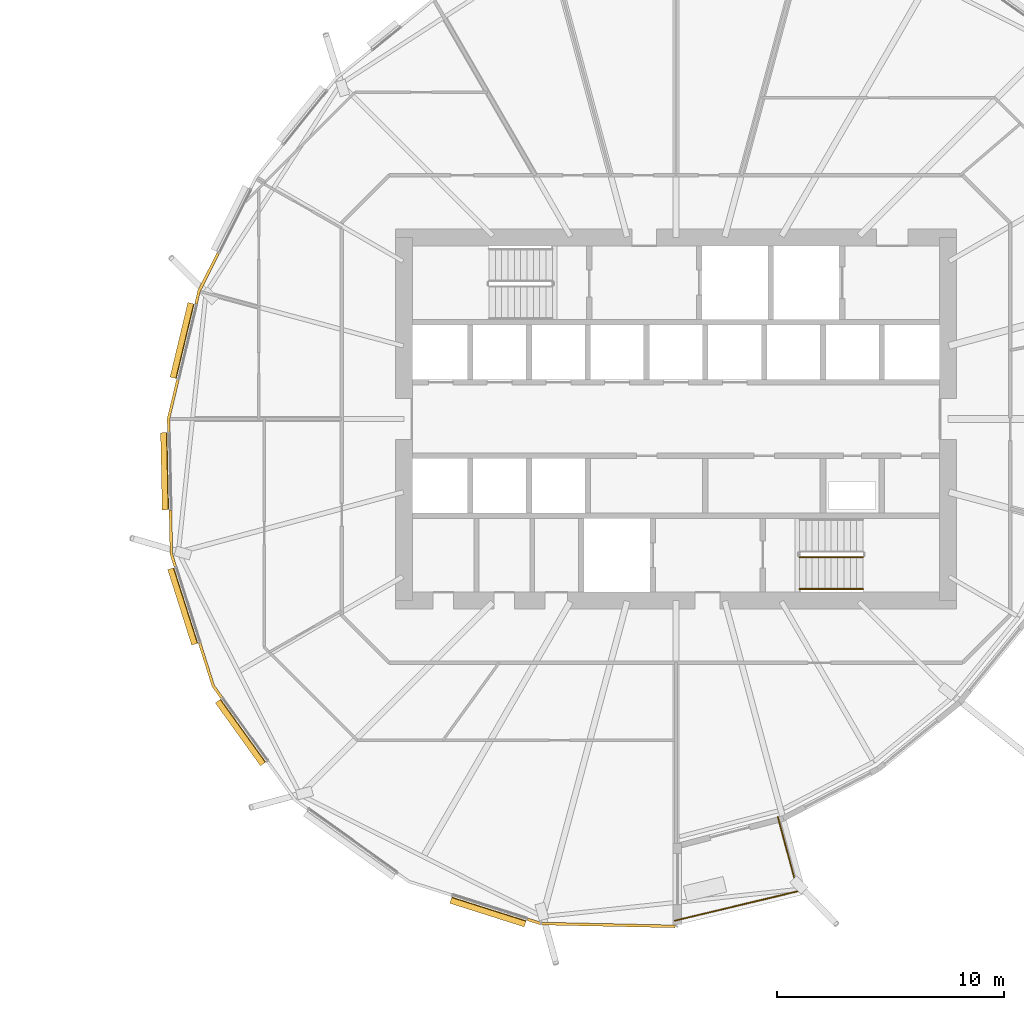
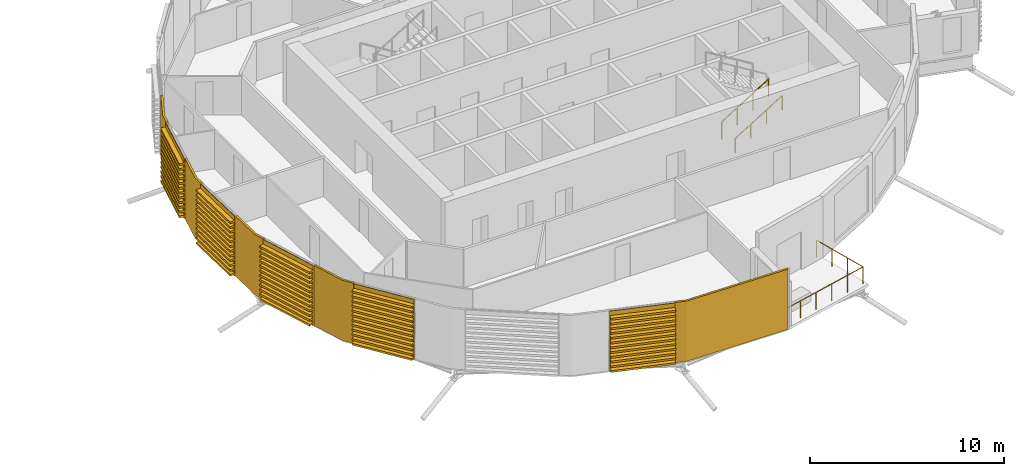
# One storey, part 40 of 43: 10 coverings, 3 railings.
"""IFC4 building model written with IfcOpenShell, lengths in metres."""

from ifc_helpers import new_model, si_unit, direction, frame, origin, origin_2d, place, context, subcontext, project, spatial, polyline, circle, outline, extrude, material, layer, layer_set, material_profile, profile_set, type_object, element, save


model = new_model("IFC4")

# Units and contexts
model_context = context("Model", 3, precision=1e-05, world=origin(), true_north=direction((0.0, 1.0)))
body_context = subcontext(model_context, "Body", "Model", "MODEL_VIEW")
ifc_project = project(units=[si_unit("LENGTHUNIT", "METRE"), si_unit("AREAUNIT", "SQUARE_METRE"), si_unit("VOLUMEUNIT", "CUBIC_METRE"), si_unit("PLANEANGLEUNIT", "RADIAN"), si_unit("MASSUNIT", "GRAM", prefix="KILO")], contexts=[model_context])

# Site, building, storey
site_placement = place(None, origin())
site = spatial("IfcSite", under=ifc_project, at=site_placement, CompositionType="ELEMENT")
building_placement = place(site_placement, origin())
building = spatial("IfcBuilding", under=site, at=building_placement, Name="Rimbun Link Towers", CompositionType="ELEMENT")
storey_placement = place(building_placement, frame((0.0, 0.0, 81.60009765625)))
storey = spatial("IfcBuildingStorey", under=building, at=storey_placement, Name="L19", CompositionType="ELEMENT", Elevation=81.60009765625)

# Railing
ifc_material_1 = material(Name="Stainless steel grade 316", Category="steel")
railing_type_1 = type_object("IfcRailingType", Name="GUARD stainless rail and posts", PredefinedType="GUARDRAIL", material=ifc_material_1)
railing_1_placement = place(storey_placement, frame((31.703369140625, -22.1337890625, 0.0)))
element("IfcRailing", 1, at=railing_1_placement, inside=storey, type_object=railing_type_1, Name="GUARD", PredefinedType="GUARDRAIL", context=body_context, shape_type="SweptSolid", body=[
    extrude(circle(Radius=0.02392578125, at=origin_2d()), frame((0.0, 0.0, 1.076171875), z_axis=(0.97257458531, 0.232591220834, 0.0), x_axis=(-0.232591220834, 0.97257458531, 0.0)), (0.0, 0.0, 1.0), 5.57568359375),
    extrude(circle(Radius=0.02392578125, at=origin_2d()), frame((5.4228515625, 1.296875, 1.076171875), z_axis=(-0.258848728371, 0.965917872192, 0.0), x_axis=(-0.965917872192, -0.258848728371, 0.0)), (0.0, 0.0, 1.0), 3.39453125),
    extrude(circle(Radius=0.02099609375, at=origin_2d()), origin(), (0.0, 0.0, 1.0), 1.052001953125),
    extrude(circle(Radius=0.02099609375, at=origin_2d()), frame((1.08447265625, 0.25927734375, 0.0)), (0.0, 0.0, 1.0), 1.052001953125),
    extrude(circle(Radius=0.02099609375, at=origin_2d()), frame((2.169189453125, 0.518798828125, 0.0)), (0.0, 0.0, 1.0), 1.052001953125),
    extrude(circle(Radius=0.02099609375, at=origin_2d()), frame((3.253662109375, 0.778076171875, 0.0)), (0.0, 0.0, 1.0), 1.052001953125),
    extrude(circle(Radius=0.02099609375, at=origin_2d()), frame((4.33837890625, 1.03759765625, 0.0)), (0.0, 0.0, 1.0), 1.052001953125),
    extrude(circle(Radius=0.02099609375, at=origin_2d()), frame((5.4228515625, 1.296875, 0.0)), (0.0, 0.0, 1.0), 1.052001953125),
    extrude(circle(Radius=0.02099609375, at=origin_2d()), frame((5.1298828125, 2.389892578125, 0.0)), (0.0, 0.0, 1.0), 1.052001953125),
    extrude(circle(Radius=0.02099609375, at=origin_2d()), frame((4.837158203125, 3.482666015625, 0.0)), (0.0, 0.0, 1.0), 1.052001953125),
    extrude(circle(Radius=0.02099609375, at=origin_2d()), frame((4.544189453125, 4.57568359375, 0.0)), (0.0, 0.0, 1.0), 1.052001953125),
])

# Coverings
ifc_material_2 = material(Name="Terracotta", Category="masonry")
ifc_layer = layer(ifc_material_2, 0.1201171875)
ifc_layer_set = layer_set([ifc_layer], Name="LINK PIER terracotta cladding 120")
covering_type_1 = type_object("IfcCoveringType", Name="LINK PIER terracotta cladding 120", PredefinedType="CLADDING", material=ifc_layer_set)
covering_1_placement = place(storey_placement, origin())
element("IfcCovering", 2, at=covering_1_placement, inside=storey, type_object=covering_type_1, Name="LINK PIER cladding", PredefinedType="CLADDING", context=body_context, shape_type="SweptSolid", body=[
    extrude(outline(polyline([(10.6337890625, 5.068115234375), (10.766357421875, 5.62255859375), (11.60546875, 7.293701171875), (11.498291015625, 7.34765625), (10.65283203125, 5.6640625), (10.51708984375, 5.09619140625), (10.6337890625, 5.068115234375)])), origin(), (0.0, 0.0, 1.0), 3.7998046875),
])
covering_2_placement = place(storey_placement, origin())
element("IfcCovering", 3, at=covering_2_placement, inside=storey, type_object=covering_type_1, Name="LINK PIER cladding", PredefinedType="CLADDING", context=body_context, shape_type="SweptSolid", body=[
    extrude(outline(polyline([(9.43359375, -0.56982421875), (9.421630859375, 0.0), (9.833251953125, 1.721435546875), (9.716552734375, 1.749267578125), (9.301513671875, 0.012939453125), (9.313720703125, -0.572509765625), (9.43359375, -0.56982421875)])), origin(), (0.0, 0.0, 1.0), 3.7998046875),
])
covering_3_placement = place(storey_placement, origin())
element("IfcCovering", 4, at=covering_3_placement, inside=storey, type_object=covering_type_1, Name="LINK PIER cladding", PredefinedType="CLADDING", context=body_context, shape_type="SweptSolid", body=[
    extrude(outline(polyline([(9.7197265625, -6.492431640625), (9.547119140625, -5.94921875), (9.506591796875, -4.02978515625), (9.38671875, -4.0322265625), (9.427490234375, -5.96923828125), (9.60546875, -6.52880859375), (9.7197265625, -6.492431640625)])), origin(), (0.0, 0.0, 1.0), 3.7998046875),
])
covering_4_placement = place(storey_placement, origin())
element("IfcCovering", 5, at=covering_4_placement, inside=storey, type_object=covering_type_1, Name="LINK PIER cladding", PredefinedType="CLADDING", context=body_context, shape_type="SweptSolid", body=[
    extrude(outline(polyline([(11.754150390625, -12.2568359375), (11.392822265625, -11.753173828125), (10.795654296875, -9.875732421875), (10.681396484375, -9.912109375), (11.2841796875, -11.8076171875), (11.65673828125, -12.326904296875), (11.754150390625, -12.2568359375)])), origin(), (0.0, 0.0, 1.0), 3.7998046875),
])
covering_5_placement = place(storey_placement, origin())
element("IfcCovering", 6, at=covering_5_placement, inside=storey, type_object=covering_type_1, Name="LINK PIER cladding", PredefinedType="CLADDING", context=body_context, shape_type="SweptSolid", body=[
    extrude(outline(polyline([(31.719970703125, -22.32763671875), (25.80078125, -22.202880859375), (25.2099609375, -22.01513671875), (25.173583984375, -22.12939453125), (25.78076171875, -22.322509765625), (31.717529296875, -22.44775390625), (31.719970703125, -22.32763671875)])), origin(), (0.0, 0.0, 1.0), 3.7998046875),
])

# Railings
ifc_material_3 = material(Name="Stainless steel grade 316", Category="steel")
railing_type_2 = type_object("IfcRailingType", Name="Stair guard", PredefinedType="GUARDRAIL", material=ifc_material_3)
railing_2_placement = place(storey_placement, frame((37.199951171875, -6.10009765625, 0.172607421875)))
element("IfcRailing", 7, at=railing_2_placement, inside=storey, type_object=railing_type_2, Name="L19 ST4 stair guard 1", PredefinedType="GUARDRAIL", context=body_context, shape_type="SweptSolid", body=[
    extrude(circle(Radius=0.02392578125, at=origin_2d()), frame((0.0, 0.0, 1.076171875), z_axis=(0.851089632645, 0.0, 0.525020415988), x_axis=(0.0, 1.0, 0.0)), (0.0, 0.0, 1.0), 3.2900390625),
    extrude(circle(Radius=0.02099609375, at=origin_2d()), origin(), (0.0, 0.0, 1.0), 1.052001953125),
    extrude(circle(Radius=0.02099609375, at=origin_2d()), frame((0.933349609375, 0.0, 0.57568359375)), (0.0, 0.0, 1.0), 1.052001953125),
    extrude(circle(Radius=0.02099609375, at=origin_2d()), frame((1.86669921875, 0.0, 1.151611328125)), (0.0, 0.0, 1.0), 1.052001953125),
    extrude(circle(Radius=0.02099609375, at=origin_2d()), frame((2.800048828125, 0.0, 1.727294921875)), (0.0, 0.0, 1.0), 1.052001953125),
])
ifc_material_4 = material(Name="Stainless steel grade 316", Category="steel")
railing_type_3 = type_object("IfcRailingType", Name="Stair handrail", PredefinedType="HANDRAIL", material=ifc_material_4)
railing_3_placement = place(storey_placement, frame((37.199951171875, -7.5, 0.172607421875)))
element("IfcRailing", 8, at=railing_3_placement, inside=storey, type_object=railing_type_3, Name="L19 ST4 stair handrail 1", PredefinedType="HANDRAIL", context=body_context, shape_type="SweptSolid", body=[
    extrude(circle(Radius=0.02392578125, at=origin_2d()), frame((0.0, 0.0, 0.8759765625), z_axis=(0.851089632645, 0.0, 0.525020415988), x_axis=(0.0, 1.0, 0.0)), (0.0, 0.0, 1.0), 3.2900390625),
    extrude(circle(Radius=0.02099609375, at=origin_2d()), origin(), (0.0, 0.0, 1.0), 0.851806640625),
    extrude(circle(Radius=0.02099609375, at=origin_2d()), frame((0.933349609375, 0.0, 0.57568359375)), (0.0, 0.0, 1.0), 0.851806640625),
    extrude(circle(Radius=0.02099609375, at=origin_2d()), frame((1.86669921875, 0.0, 1.151611328125)), (0.0, 0.0, 1.0), 0.851806640625),
    extrude(circle(Radius=0.02099609375, at=origin_2d()), frame((2.800048828125, 0.0, 1.727294921875)), (0.0, 0.0, 1.0), 0.851806640625),
])

# Coverings
ifc_material_5 = material(Name="Terracotta", Category="masonry")
ifc_material_profile = material_profile(ifc_material_5, outline(polyline([(0.123046875, 0.0), (0.1630859375, 0.0), (0.1630859375, 0.10009765625), (0.423095703125, 0.10009765625), (0.423095703125, 0.219970703125), (0.1630859375, 0.219970703125), (0.1630859375, 0.39990234375), (0.423095703125, 0.39990234375), (0.423095703125, 0.52001953125), (0.1630859375, 0.52001953125), (0.1630859375, 0.699951171875), (0.423095703125, 0.699951171875), (0.423095703125, 0.820068359375), (0.1630859375, 0.820068359375), (0.1630859375, 1.0), (0.423095703125, 1.0), (0.423095703125, 1.1201171875), (0.1630859375, 1.1201171875), (0.1630859375, 1.300048828125), (0.423095703125, 1.300048828125), (0.423095703125, 1.419921875), (0.1630859375, 1.419921875), (0.1630859375, 1.60009765625), (0.423095703125, 1.60009765625), (0.423095703125, 1.719970703125), (0.1630859375, 1.719970703125), (0.1630859375, 1.89990234375), (0.423095703125, 1.89990234375), (0.423095703125, 2.02001953125), (0.1630859375, 2.02001953125), (0.1630859375, 2.199951171875), (0.423095703125, 2.199951171875), (0.423095703125, 2.320068359375), (0.1630859375, 2.320068359375), (0.1630859375, 2.5), (0.423095703125, 2.5), (0.423095703125, 2.6201171875), (0.1630859375, 2.6201171875), (0.1630859375, 2.800048828125), (0.423095703125, 2.800048828125), (0.423095703125, 2.919921875), (0.1630859375, 2.919921875), (0.1630859375, 3.10009765625), (0.423095703125, 3.10009765625), (0.423095703125, 3.219970703125), (0.1630859375, 3.219970703125), (0.1630859375, 3.39990234375), (0.423095703125, 3.39990234375), (0.423095703125, 3.52001953125), (0.1630859375, 3.52001953125), (0.1630859375, 3.800048828125), (0.123046875, 3.800048828125), (0.123046875, 0.0)])), Name="BAGUETTE 120X300")
ifc_profile_set = profile_set([ifc_material_profile], Name="Terracotta")
covering_type_2 = type_object("IfcCoveringType", Name="TERRACOTTA BAGUETTE 120X300 H3800", PredefinedType="CLADDING", material=ifc_profile_set)
covering_6_placement = place(storey_placement, frame((9.84033203125, 1.750732421875, 0.0), z_axis=(0.232583607102, 0.972576406103, 0.0), x_axis=(-0.972576406103, 0.232583607102, 0.0)))
element("IfcCovering", 9, at=covering_6_placement, inside=storey, type_object=covering_type_2, Name="TERRACOTTA BAGUETTE", PredefinedType="CLADDING", context=body_context, shape_type="SweptSolid", body=[
    extrude(outline(polyline([(0.123046875, 0.0), (0.1630859375, 0.0), (0.1630859375, 0.10009765625), (0.423095703125, 0.10009765625), (0.423095703125, 0.219970703125), (0.1630859375, 0.219970703125), (0.1630859375, 0.39990234375), (0.423095703125, 0.39990234375), (0.423095703125, 0.52001953125), (0.1630859375, 0.52001953125), (0.1630859375, 0.699951171875), (0.423095703125, 0.699951171875), (0.423095703125, 0.820068359375), (0.1630859375, 0.820068359375), (0.1630859375, 1.0), (0.423095703125, 1.0), (0.423095703125, 1.1201171875), (0.1630859375, 1.1201171875), (0.1630859375, 1.300048828125), (0.423095703125, 1.300048828125), (0.423095703125, 1.419921875), (0.1630859375, 1.419921875), (0.1630859375, 1.60009765625), (0.423095703125, 1.60009765625), (0.423095703125, 1.719970703125), (0.1630859375, 1.719970703125), (0.1630859375, 1.89990234375), (0.423095703125, 1.89990234375), (0.423095703125, 2.02001953125), (0.1630859375, 2.02001953125), (0.1630859375, 2.199951171875), (0.423095703125, 2.199951171875), (0.423095703125, 2.320068359375), (0.1630859375, 2.320068359375), (0.1630859375, 2.5), (0.423095703125, 2.5), (0.423095703125, 2.6201171875), (0.1630859375, 2.6201171875), (0.1630859375, 2.800048828125), (0.423095703125, 2.800048828125), (0.423095703125, 2.919921875), (0.1630859375, 2.919921875), (0.1630859375, 3.10009765625), (0.423095703125, 3.10009765625), (0.423095703125, 3.219970703125), (0.1630859375, 3.219970703125), (0.1630859375, 3.39990234375), (0.423095703125, 3.39990234375), (0.423095703125, 3.52001953125), (0.1630859375, 3.52001953125), (0.1630859375, 3.800048828125), (0.123046875, 3.800048828125), (0.123046875, 0.0)])), origin(), (0.0, 0.0, 1.0), 3.381103515625),
])
covering_7_placement = place(storey_placement, frame((9.505859375, -3.999755859375, 0.0), z_axis=(-0.021035126383, 0.99977873725, 0.0), x_axis=(-0.99977873725, -0.021035126383, 0.0)))
element("IfcCovering", 10, at=covering_7_placement, inside=storey, type_object=covering_type_2, Name="TERRACOTTA BAGUETTE", PredefinedType="CLADDING", context=body_context, shape_type="SweptSolid", body=[
    extrude(outline(polyline([(0.123046875, 0.0), (0.1630859375, 0.0), (0.1630859375, 0.10009765625), (0.423095703125, 0.10009765625), (0.423095703125, 0.219970703125), (0.1630859375, 0.219970703125), (0.1630859375, 0.39990234375), (0.423095703125, 0.39990234375), (0.423095703125, 0.52001953125), (0.1630859375, 0.52001953125), (0.1630859375, 0.699951171875), (0.423095703125, 0.699951171875), (0.423095703125, 0.820068359375), (0.1630859375, 0.820068359375), (0.1630859375, 1.0), (0.423095703125, 1.0), (0.423095703125, 1.1201171875), (0.1630859375, 1.1201171875), (0.1630859375, 1.300048828125), (0.423095703125, 1.300048828125), (0.423095703125, 1.419921875), (0.1630859375, 1.419921875), (0.1630859375, 1.60009765625), (0.423095703125, 1.60009765625), (0.423095703125, 1.719970703125), (0.1630859375, 1.719970703125), (0.1630859375, 1.89990234375), (0.423095703125, 1.89990234375), (0.423095703125, 2.02001953125), (0.1630859375, 2.02001953125), (0.1630859375, 2.199951171875), (0.423095703125, 2.199951171875), (0.423095703125, 2.320068359375), (0.1630859375, 2.320068359375), (0.1630859375, 2.5), (0.423095703125, 2.5), (0.423095703125, 2.6201171875), (0.1630859375, 2.6201171875), (0.1630859375, 2.800048828125), (0.423095703125, 2.800048828125), (0.423095703125, 2.919921875), (0.1630859375, 2.919921875), (0.1630859375, 3.10009765625), (0.423095703125, 3.10009765625), (0.423095703125, 3.219970703125), (0.1630859375, 3.219970703125), (0.1630859375, 3.39990234375), (0.423095703125, 3.39990234375), (0.423095703125, 3.52001953125), (0.1630859375, 3.52001953125), (0.1630859375, 3.800048828125), (0.123046875, 3.800048828125), (0.123046875, 0.0)])), origin(), (0.0, 0.0, 1.0), 3.400634765625),
])
covering_8_placement = place(storey_placement, frame((10.78662109375, -9.84716796875, 0.0), z_axis=(-0.30308239504, 0.952964354956, 0.0), x_axis=(-0.952964354956, -0.30308239504, 0.0)))
element("IfcCovering", 11, at=covering_8_placement, inside=storey, type_object=covering_type_2, Name="TERRACOTTA BAGUETTE", PredefinedType="CLADDING", context=body_context, shape_type="SweptSolid", body=[
    extrude(outline(polyline([(0.123046875, 0.0), (0.1630859375, 0.0), (0.1630859375, 0.10009765625), (0.423095703125, 0.10009765625), (0.423095703125, 0.219970703125), (0.1630859375, 0.219970703125), (0.1630859375, 0.39990234375), (0.423095703125, 0.39990234375), (0.423095703125, 0.52001953125), (0.1630859375, 0.52001953125), (0.1630859375, 0.699951171875), (0.423095703125, 0.699951171875), (0.423095703125, 0.820068359375), (0.1630859375, 0.820068359375), (0.1630859375, 1.0), (0.423095703125, 1.0), (0.423095703125, 1.1201171875), (0.1630859375, 1.1201171875), (0.1630859375, 1.300048828125), (0.423095703125, 1.300048828125), (0.423095703125, 1.419921875), (0.1630859375, 1.419921875), (0.1630859375, 1.60009765625), (0.423095703125, 1.60009765625), (0.423095703125, 1.719970703125), (0.1630859375, 1.719970703125), (0.1630859375, 1.89990234375), (0.423095703125, 1.89990234375), (0.423095703125, 2.02001953125), (0.1630859375, 2.02001953125), (0.1630859375, 2.199951171875), (0.423095703125, 2.199951171875), (0.423095703125, 2.320068359375), (0.1630859375, 2.320068359375), (0.1630859375, 2.5), (0.423095703125, 2.5), (0.423095703125, 2.6201171875), (0.1630859375, 2.6201171875), (0.1630859375, 2.800048828125), (0.423095703125, 2.800048828125), (0.423095703125, 2.919921875), (0.1630859375, 2.919921875), (0.1630859375, 3.10009765625), (0.423095703125, 3.10009765625), (0.423095703125, 3.219970703125), (0.1630859375, 3.219970703125), (0.1630859375, 3.39990234375), (0.423095703125, 3.39990234375), (0.423095703125, 3.52001953125), (0.1630859375, 3.52001953125), (0.1630859375, 3.800048828125), (0.123046875, 3.800048828125), (0.123046875, 0.0)])), origin(), (0.0, 0.0, 1.0), 3.490234375),
])
covering_9_placement = place(storey_placement, frame((13.76318359375, -15.056396484375, 0.0), z_axis=(-0.583021739136, 0.812456553728, 0.0), x_axis=(-0.812456553728, -0.583021739136, 0.0)))
element("IfcCovering", 12, at=covering_9_placement, inside=storey, type_object=covering_type_2, Name="TERRACOTTA BAGUETTE", PredefinedType="CLADDING", context=body_context, shape_type="SweptSolid", body=[
    extrude(outline(polyline([(0.123046875, 0.0), (0.1630859375, 0.0), (0.1630859375, 0.10009765625), (0.423095703125, 0.10009765625), (0.423095703125, 0.219970703125), (0.1630859375, 0.219970703125), (0.1630859375, 0.39990234375), (0.423095703125, 0.39990234375), (0.423095703125, 0.52001953125), (0.1630859375, 0.52001953125), (0.1630859375, 0.699951171875), (0.423095703125, 0.699951171875), (0.423095703125, 0.820068359375), (0.1630859375, 0.820068359375), (0.1630859375, 1.0), (0.423095703125, 1.0), (0.423095703125, 1.1201171875), (0.1630859375, 1.1201171875), (0.1630859375, 1.300048828125), (0.423095703125, 1.300048828125), (0.423095703125, 1.419921875), (0.1630859375, 1.419921875), (0.1630859375, 1.60009765625), (0.423095703125, 1.60009765625), (0.423095703125, 1.719970703125), (0.1630859375, 1.719970703125), (0.1630859375, 1.89990234375), (0.423095703125, 1.89990234375), (0.423095703125, 2.02001953125), (0.1630859375, 2.02001953125), (0.1630859375, 2.199951171875), (0.423095703125, 2.199951171875), (0.423095703125, 2.320068359375), (0.1630859375, 2.320068359375), (0.1630859375, 2.5), (0.423095703125, 2.5), (0.423095703125, 2.6201171875), (0.1630859375, 2.6201171875), (0.1630859375, 2.800048828125), (0.423095703125, 2.800048828125), (0.423095703125, 2.919921875), (0.1630859375, 2.919921875), (0.1630859375, 3.10009765625), (0.423095703125, 3.10009765625), (0.423095703125, 3.219970703125), (0.1630859375, 3.219970703125), (0.1630859375, 3.39990234375), (0.423095703125, 3.39990234375), (0.423095703125, 3.52001953125), (0.1630859375, 3.52001953125), (0.1630859375, 3.800048828125), (0.123046875, 3.800048828125), (0.123046875, 0.0)])), origin(), (0.0, 0.0, 1.0), 3.415771484375),
])
covering_10_placement = place(storey_placement, frame((25.18115234375, -22.006103515625, 0.0), z_axis=(-0.952957464057, 0.303104060842, 0.0), x_axis=(-0.303104060842, -0.952957464057, 0.0)))
element("IfcCovering", 13, at=covering_10_placement, inside=storey, type_object=covering_type_2, Name="TERRACOTTA BAGUETTE", PredefinedType="CLADDING", context=body_context, shape_type="SweptSolid", body=[
    extrude(outline(polyline([(0.123046875, 0.0), (0.1630859375, 0.0), (0.1630859375, 0.10009765625), (0.423095703125, 0.10009765625), (0.423095703125, 0.219970703125), (0.1630859375, 0.219970703125), (0.1630859375, 0.39990234375), (0.423095703125, 0.39990234375), (0.423095703125, 0.52001953125), (0.1630859375, 0.52001953125), (0.1630859375, 0.699951171875), (0.423095703125, 0.699951171875), (0.423095703125, 0.820068359375), (0.1630859375, 0.820068359375), (0.1630859375, 1.0), (0.423095703125, 1.0), (0.423095703125, 1.1201171875), (0.1630859375, 1.1201171875), (0.1630859375, 1.300048828125), (0.423095703125, 1.300048828125), (0.423095703125, 1.419921875), (0.1630859375, 1.419921875), (0.1630859375, 1.60009765625), (0.423095703125, 1.60009765625), (0.423095703125, 1.719970703125), (0.1630859375, 1.719970703125), (0.1630859375, 1.89990234375), (0.423095703125, 1.89990234375), (0.423095703125, 2.02001953125), (0.1630859375, 2.02001953125), (0.1630859375, 2.199951171875), (0.423095703125, 2.199951171875), (0.423095703125, 2.320068359375), (0.1630859375, 2.320068359375), (0.1630859375, 2.5), (0.423095703125, 2.5), (0.423095703125, 2.6201171875), (0.1630859375, 2.6201171875), (0.1630859375, 2.800048828125), (0.423095703125, 2.800048828125), (0.423095703125, 2.919921875), (0.1630859375, 2.919921875), (0.1630859375, 3.10009765625), (0.423095703125, 3.10009765625), (0.423095703125, 3.219970703125), (0.1630859375, 3.219970703125), (0.1630859375, 3.39990234375), (0.423095703125, 3.39990234375), (0.423095703125, 3.52001953125), (0.1630859375, 3.52001953125), (0.1630859375, 3.800048828125), (0.123046875, 3.800048828125), (0.123046875, 0.0)])), origin(), (0.0, 0.0, 1.0), 3.440185546875),
])

save(model, "model.ifc")
